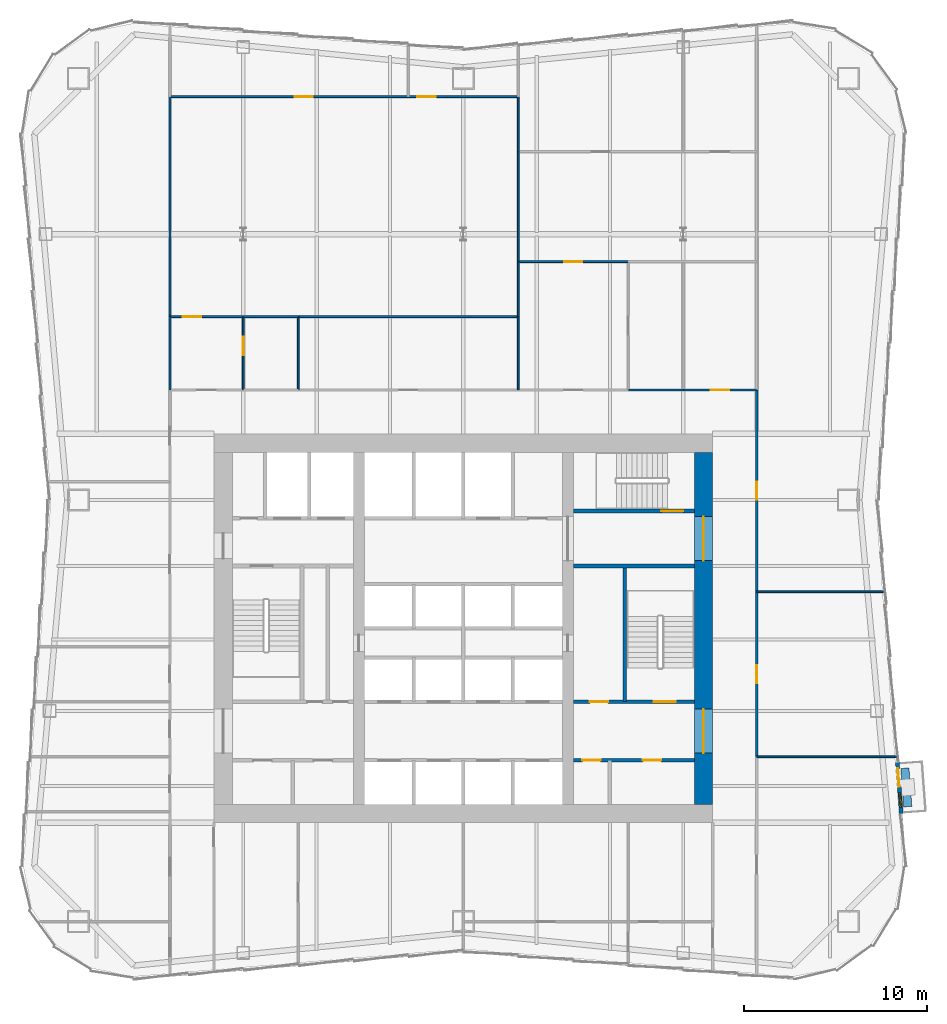
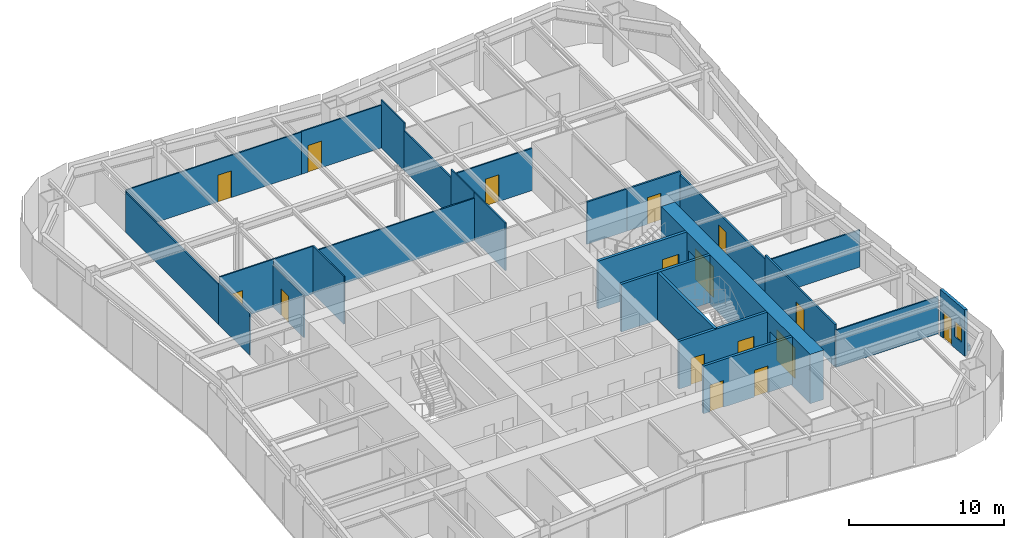
# One storey, part 6 of 9: 28 walls, 16 doors, 1 window, 17 openings.
"""IFC4 building model written with IfcOpenShell, lengths in metres."""

import ifcopenshell
import ifcopenshell.guid

model = None  # the IFC model being written
_history = None  # IfcOwnerHistory: only IFC2X3 demands one
_inside = {}  # id of a spatial element -> (the spatial element, [elements in it])
_under = {}  # id of a project, library or spatial element -> (it, [spatial elements below it])
_declared = {}  # id of a project -> (the project, [libraries it declares])
_typed = {}  # id of a type object -> (the type object, [elements of that type])
_made_of = {}  # id of a material, layer set ... -> (it, [elements and type objects made of it])


def new_model(schema):
    """Start an empty IFC model of exactly this schema.

    Asked for "IFC4X3", IfcOpenShell would pick the latest addendum, in which some entities
    have other attributes; the version numbers below select the first issue.
    IFC2X3 requires an IfcOwnerHistory on every rooted entity: one is made here for all.
    """
    global model, _history
    if schema == "IFC4X3":
        model = ifcopenshell.file(schema_version=(4, 3, 0, 0))
    else:
        model = ifcopenshell.file(schema=schema)
    _inside.clear()
    _under.clear()
    _declared.clear()
    _typed.clear()
    _made_of.clear()
    _history = None
    if model.schema == "IFC2X3":
        org = make("IfcOrganization", Name="unknown")
        user = make(
            "IfcPersonAndOrganization",
            ThePerson=make("IfcPerson", FamilyName="unknown"),
            TheOrganization=org,
        )
        app = make(
            "IfcApplication",
            ApplicationDeveloper=org,
            Version="unknown",
            ApplicationFullName="unknown",
            ApplicationIdentifier="unknown",
        )
        _history = make(
            "IfcOwnerHistory",
            OwningUser=user,
            OwningApplication=app,
            ChangeAction="ADDED",
            CreationDate=0,
        )
    return model


def make(cls, **values):
    """One entity of the class cls with the attributes given. An attribute that is None is left unset."""
    return model.create_entity(
        cls, **{name: value for name, value in values.items() if value is not None}
    )


def rooted(cls, **values):
    """An entity with a GlobalId (a new one), such as an element, a storey or a relation."""
    return make(cls, GlobalId=ifcopenshell.guid.new(), OwnerHistory=_history, **values)


def si_unit(unit_type, name, prefix=None):
    """IfcSIUnit, for example si_unit("LENGTHUNIT", "METRE", prefix="MILLI")."""
    return make("IfcSIUnit", UnitType=unit_type, Prefix=prefix, Name=name)


def assignment(units):
    """IfcUnitAssignment: the units of a project."""
    return None if units is None else make("IfcUnitAssignment", Units=units)


def point(xyz):
    """IfcCartesianPoint."""
    return None if xyz is None else make("IfcCartesianPoint", Coordinates=xyz)


def direction(xyz):
    """IfcDirection."""
    return None if xyz is None else make("IfcDirection", DirectionRatios=xyz)


def frame(location, z_axis=None, x_axis=None):
    """IfcAxis2Placement3D, a coordinate frame: its origin and axes. An axis left out is left unset."""
    return make(
        "IfcAxis2Placement3D",
        Location=point(location),
        Axis=direction(z_axis),
        RefDirection=direction(x_axis),
    )


def frame_2d(location, x_axis=None):
    """IfcAxis2Placement2D, a coordinate frame in the plane: its origin and x axis."""
    return make(
        "IfcAxis2Placement2D", Location=point(location), RefDirection=direction(x_axis)
    )


def origin():
    """The frame at (0, 0, 0) with its axes left unset."""
    return frame((0.0, 0.0, 0.0))


def place(relative_to, where):
    """IfcLocalPlacement: puts the frame where relative to a parent placement (None: the world)."""
    return make(
        "IfcLocalPlacement", PlacementRelTo=relative_to, RelativePlacement=where
    )


def context(
    kind, dimensions, precision=None, world=None, true_north=None, identifier=None
):
    """IfcGeometricRepresentationContext, for example the 3D "Model" context."""
    return make(
        "IfcGeometricRepresentationContext",
        ContextIdentifier=identifier,
        ContextType=kind,
        CoordinateSpaceDimension=dimensions,
        Precision=precision,
        WorldCoordinateSystem=world,
        TrueNorth=true_north,
    )


def subcontext(parent, identifier, kind, view, scale=None):
    """IfcGeometricRepresentationSubContext, for example "Body" below "Model"."""
    return make(
        "IfcGeometricRepresentationSubContext",
        ContextIdentifier=identifier,
        ContextType=kind,
        ParentContext=parent,
        TargetScale=scale,
        TargetView=view,
    )


def project(units=None, contexts=None):
    """IfcProject with its units and contexts."""
    return rooted(
        "IfcProject",
        Name="project",
        RepresentationContexts=contexts,
        UnitsInContext=assignment(units),
    )


def spatial(cls, under=None, at=None, **own):
    """A site, building, storey or space (cls), placed at a placement, below another one or the project."""
    s = rooted(cls, ObjectPlacement=at, **own)
    if under is not None:
        _under.setdefault(under.id(), (under, []))[1].append(s)
    return s


def profile(cls, at=None, kind="AREA", **sizes):
    """A parametric profile (cls). Its sizes go by their IFC names, for example OverallWidth=200.0."""
    return make(cls, ProfileType=kind, Position=at, **sizes)


def rectangle(**sizes):
    """IfcRectangleProfileDef."""
    return profile("IfcRectangleProfileDef", **sizes)


def extrude(swept, where, along, depth):
    """IfcExtrudedAreaSolid: the profile swept, set in the frame where, extruded along a direction by depth."""
    return make(
        "IfcExtrudedAreaSolid",
        SweptArea=swept,
        Position=where,
        ExtrudedDirection=direction(along),
        Depth=depth,
    )


def shape(context_of_items, identifier, shape_type, items):
    """IfcShapeRepresentation: the items that make up one representation, for example the "Body"."""
    return make(
        "IfcShapeRepresentation",
        ContextOfItems=context_of_items,
        RepresentationIdentifier=identifier,
        RepresentationType=shape_type,
        Items=items,
    )


def material(Name=None, Category=None):
    """IfcMaterial."""
    return make("IfcMaterial", Name=Name, Category=Category)


def layer(
    of_material, thickness, ventilated=None, Name=None, Category=None, Priority=None
):
    """IfcMaterialLayer: one layer of a wall or slab, of a material (None: an air gap)."""
    return make(
        "IfcMaterialLayer",
        Material=of_material,
        LayerThickness=thickness,
        IsVentilated=ventilated,
        Name=Name,
        Category=Category,
        Priority=Priority,
    )


def layer_set(layers, Name=None):
    """IfcMaterialLayerSet."""
    return make("IfcMaterialLayerSet", MaterialLayers=layers, LayerSetName=Name)


def made_of(thing, what):
    """Note that an element or type object is made of a material, layer set ...; save() writes the relation."""
    if what is not None:
        _made_of.setdefault(what.id(), (what, []))[1].append(thing)
    return thing


def type_object(cls, material=None, **own):
    """A type object (cls), such as IfcWallType, which elements share."""
    return made_of(rooted(cls, **own), material)


def element(
    cls,
    number,
    at=None,
    inside=None,
    cuts=None,
    type_object=None,
    material=None,
    context=None,
    identifier="Body",
    shape_type=None,
    held_by="IfcProductDefinitionShape",
    body=None,
    shapes=None,
    **own,
):
    """One element of the class cls, such as IfcWall. Its Tag is "e" and its number.

    at: its placement. inside: the storey or other place that contains it. cuts: it is an
    opening in that element (IfcRelVoidsElement). A single representation is given by context,
    identifier, shape_type and body (its items); several are given by shapes. held_by: the class
    of the entity that holds the representations. save() writes the other relations.
    """
    e = rooted(cls, Tag="e%d" % number, ObjectPlacement=at, **own)
    if body is not None:
        shapes = [shape(context, identifier, shape_type, body)]
    if shapes is not None:
        e.Representation = make(held_by, Representations=shapes)
    if inside is not None:
        _inside.setdefault(inside.id(), (inside, []))[1].append(e)
    if cuts is not None:
        rooted(
            "IfcRelVoidsElement", RelatingBuildingElement=cuts, RelatedOpeningElement=e
        )
    if type_object is not None:
        _typed.setdefault(type_object.id(), (type_object, []))[1].append(e)
    return made_of(e, material)


def fill(opening, filler):
    """IfcRelFillsElement: the door or window that sits in an opening."""
    return rooted(
        "IfcRelFillsElement",
        RelatingOpeningElement=opening,
        RelatedBuildingElement=filler,
    )


def aggregate(whole, parts):
    """IfcRelAggregates: a whole, such as a stair, and the parts it consists of."""
    return rooted("IfcRelAggregates", RelatingObject=whole, RelatedObjects=parts)


def save(model, path):
    """Write the relations noted so far, then the file.

    IfcRelAggregates (storeys below a building ...), IfcRelContainedInSpatialStructure (elements
    in a storey), IfcRelDefinesByType, IfcRelAssociatesMaterial and IfcRelDeclares: one each for
    every whole, place, type object, material and project.
    """
    for whole, parts in _under.values():
        aggregate(whole, parts)
    for where, things in _inside.values():
        rooted(
            "IfcRelContainedInSpatialStructure",
            RelatedElements=things,
            RelatingStructure=where,
        )
    for kind, things in _typed.values():
        rooted("IfcRelDefinesByType", RelatedObjects=things, RelatingType=kind)
    for what, things in _made_of.values():
        rooted("IfcRelAssociatesMaterial", RelatedObjects=things, RelatingMaterial=what)
    for by, libraries in _declared.values():
        rooted("IfcRelDeclares", RelatingContext=by, RelatedDefinitions=libraries)
    model.write(path)


model = new_model("IFC4")

# Units and contexts
model_context = context("Model", 3, precision=1e-05, world=origin(), true_north=direction((0.0, 1.0)))
body_context = subcontext(model_context, "Body", "Model", "MODEL_VIEW")
ifc_project = project(units=[si_unit("LENGTHUNIT", "METRE"), si_unit("AREAUNIT", "SQUARE_METRE"), si_unit("VOLUMEUNIT", "CUBIC_METRE"), si_unit("PLANEANGLEUNIT", "RADIAN"), si_unit("MASSUNIT", "GRAM", prefix="KILO")], contexts=[model_context])

# Site, building, storey
site_placement = place(None, origin())
site = spatial("IfcSite", under=ifc_project, at=site_placement, CompositionType="ELEMENT")
building_placement = place(site_placement, origin())
building = spatial("IfcBuilding", under=site, at=building_placement, Name="Verdant Reach Tower", CompositionType="ELEMENT")
storey_placement = place(building_placement, frame((0.0, 0.0, 166.0)))
storey = spatial("IfcBuildingStorey", under=building, at=storey_placement, Name="L38", CompositionType="ELEMENT", Elevation=166.0)

# Wall, openings, doors
ifc_material_1 = material(Name="Gypsum board on steel studs", Category="steel")
ifc_layer_1 = layer(ifc_material_1, 0.199951171875)
ifc_layer_set_1 = layer_set([ifc_layer_1], Name="CO-WALL-ROOM")
wall_type_1 = type_object("IfcWallType", Name="CO-WALL-ROOM", PredefinedType="PARTITIONING", material=ifc_layer_set_1)
wall_1_placement = place(storey_placement, frame((6.0, 20.800048828125, 0.0), z_axis=(0.0, 0.0, 1.0), x_axis=(1.0, 0.0, 0.0)))
wall_1 = element("IfcWall", 1, at=wall_1_placement, inside=storey, type_object=wall_type_1, Name="Core partition, L38", PredefinedType="PARTITIONING", context=body_context, shape_type="SweptSolid", body=[
    extrude(rectangle(XDim=6.60009765625, YDim=0.199951171875, at=frame_2d((3.300048828125, 0.0))), origin(), (0.0, 0.0, 1.0), 3.75),
])
opening_1_placement = place(wall_1_placement, frame((0.489990234375, 0.0, 0.0)))
opening_1 = element("IfcOpeningElement", 2, at=opening_1_placement, cuts=wall_1, Name="Opening CD", PredefinedType="OPENING", context=body_context, shape_type="SweptSolid", body=[
    extrude(rectangle(XDim=1.0, YDim=2.10009765625, at=frame_2d((0.5, 1.050048828125))), frame((0.0, 0.10986328125, 0.0), z_axis=(0.0, -1.0, 0.0), x_axis=(1.0, 0.0, 0.0)), (0.0, 0.0, 1.0), 0.219970703125),
])
opening_2_placement = place(wall_1_placement, frame((3.7900390625, 0.0, 0.0)))
opening_2 = element("IfcOpeningElement", 3, at=opening_2_placement, cuts=wall_1, Name="Opening CD", PredefinedType="OPENING", context=body_context, shape_type="SweptSolid", body=[
    extrude(rectangle(XDim=1.0, YDim=2.10009765625, at=frame_2d((0.5, 1.050048828125))), frame((0.0, 0.10986328125, 0.0), z_axis=(0.0, -1.0, 0.0), x_axis=(1.0, 0.0, 0.0)), (0.0, 0.0, 1.0), 0.219970703125),
])
ifc_material_2 = material(Name="Timber", Category="wood")
door_type_1 = type_object("IfcDoorType", Name="CO-DOOR-ROOM", OperationType="NOTDEFINED", PredefinedType="DOOR", material=ifc_material_2)
door_1_placement = place(opening_1_placement, origin())
door_1 = element("IfcDoor", 4, at=door_1_placement, inside=storey, type_object=door_type_1, Name="Core room door, L38", OperationType="SINGLE_SWING_RIGHT", OverallHeight=2.10009765625, OverallWidth=1.0, PredefinedType="DOOR", context=body_context, shape_type="SweptSolid", body=[
    extrude(rectangle(XDim=1.0, YDim=2.10009765625, at=frame_2d((0.5, 1.050048828125))), frame((0.0, 0.02490234375, 0.0), z_axis=(0.0, -1.0, 0.0), x_axis=(1.0, 0.0, 0.0)), (0.0, 0.0, 1.0), 0.050048828125),
])
fill(opening_1, door_1)
door_2_placement = place(opening_2_placement, origin())
door_2 = element("IfcDoor", 5, at=door_2_placement, inside=storey, type_object=door_type_1, Name="Core room door, L38", OperationType="SINGLE_SWING_RIGHT", OverallHeight=2.10009765625, OverallWidth=1.0, PredefinedType="DOOR", context=body_context, shape_type="SweptSolid", body=[
    extrude(rectangle(XDim=1.0, YDim=2.10009765625, at=frame_2d((0.5, 1.050048828125))), frame((0.0, 0.02490234375, 0.0), z_axis=(0.0, -1.0, 0.0), x_axis=(1.0, 0.0, 0.0)), (0.0, 0.0, 1.0), 0.050048828125),
])
fill(opening_2, door_2)

ifc_material_3 = material(Name="Concrete C40/50", Category="concrete")
ifc_layer_2 = layer(ifc_material_3, 0.199951171875)
ifc_layer_set_2 = layer_set([ifc_layer_2], Name="CO-WALL-STAIR")
wall_type_2 = type_object("IfcWallType", Name="CO-WALL-STAIR", PredefinedType="PARTITIONING", material=ifc_layer_set_2)
wall_2_placement = place(storey_placement, frame((6.0, 24.0, 0.0), z_axis=(0.0, 0.0, 1.0), x_axis=(1.0, 0.0, 0.0)))
wall_2 = element("IfcWall", 6, at=wall_2_placement, inside=storey, type_object=wall_type_2, Name="Stair enclosure wall, L38", PredefinedType="PARTITIONING", context=body_context, shape_type="SweptSolid", body=[
    extrude(rectangle(XDim=6.60009765625, YDim=0.199951171875, at=frame_2d((3.300048828125, 0.0))), origin(), (0.0, 0.0, 1.0), 3.75),
])
opening_3_placement = place(wall_2_placement, frame((0.89990234375, 0.0, 0.0)))
opening_3 = element("IfcOpeningElement", 7, at=opening_3_placement, cuts=wall_2, Name="Opening CD", PredefinedType="OPENING", context=body_context, shape_type="SweptSolid", body=[
    extrude(rectangle(XDim=1.0, YDim=2.10009765625, at=frame_2d((0.5, 1.050048828125))), frame((0.0, 0.10986328125, 0.0), z_axis=(0.0, -1.0, 0.0), x_axis=(1.0, 0.0, 0.0)), (0.0, 0.0, 1.0), 0.219970703125),
])
opening_4_placement = place(wall_2_placement, frame((4.39990234375, 0.0, 0.0)))
opening_4 = element("IfcOpeningElement", 8, at=opening_4_placement, cuts=wall_2, Name="Opening SD", PredefinedType="OPENING", context=body_context, shape_type="SweptSolid", body=[
    extrude(rectangle(XDim=1.199951171875, YDim=2.199951171875, at=frame_2d((0.60009765625, 1.10009765625))), frame((0.0, 0.10986328125, 0.0), z_axis=(0.0, -1.0, 0.0), x_axis=(1.0, 0.0, 0.0)), (0.0, 0.0, 1.0), 0.219970703125),
])
door_3_placement = place(opening_3_placement, origin())
door_3 = element("IfcDoor", 9, at=door_3_placement, inside=storey, type_object=door_type_1, Name="Core room door, L38", OperationType="SINGLE_SWING_RIGHT", OverallHeight=2.10009765625, OverallWidth=1.0, PredefinedType="DOOR", context=body_context, shape_type="SweptSolid", body=[
    extrude(rectangle(XDim=1.0, YDim=2.10009765625, at=frame_2d((0.5, 1.050048828125))), frame((0.0, 0.02490234375, 0.0), z_axis=(0.0, -1.0, 0.0), x_axis=(1.0, 0.0, 0.0)), (0.0, 0.0, 1.0), 0.050048828125),
])
fill(opening_3, door_3)
ifc_material_4 = material(Name="Steel", Category="steel")
door_type_2 = type_object("IfcDoorType", Name="CO-DOOR-STAIR", OperationType="NOTDEFINED", PredefinedType="DOOR", material=ifc_material_4)
door_4_placement = place(opening_4_placement, origin())
door_4 = element("IfcDoor", 10, at=door_4_placement, inside=storey, type_object=door_type_2, Name="Stair door, L38", OperationType="SINGLE_SWING_LEFT", OverallHeight=2.199951171875, OverallWidth=1.199951171875, PredefinedType="DOOR", context=body_context, shape_type="SweptSolid", body=[
    extrude(rectangle(XDim=1.199951171875, YDim=2.199951171875, at=frame_2d((0.60009765625, 1.10009765625))), frame((0.0, 0.02490234375, 0.0), z_axis=(0.0, -1.0, 0.0), x_axis=(1.0, 0.0, 0.0)), (0.0, 0.0, 1.0), 0.050048828125),
])
fill(opening_4, door_4)

# Wall
wall_3_placement = place(storey_placement, frame((6.0, 31.39990234375, 0.0), z_axis=(0.0, 0.0, 1.0), x_axis=(1.0, 0.0, 0.0)))
element("IfcWall", 11, at=wall_3_placement, inside=storey, type_object=wall_type_2, Name="Stair enclosure wall, L38", PredefinedType="PARTITIONING", context=body_context, shape_type="SweptSolid", body=[
    extrude(rectangle(XDim=6.60009765625, YDim=0.199951171875, at=frame_2d((3.300048828125, 0.0))), origin(), (0.0, 0.0, 1.0), 3.75),
])

# Wall, opening, door
wall_4_placement = place(storey_placement, frame((6.0, 34.39990234375, 0.0), z_axis=(0.0, 0.0, 1.0), x_axis=(1.0, 0.0, 0.0)))
wall_4 = element("IfcWall", 12, at=wall_4_placement, inside=storey, type_object=wall_type_2, Name="Stair enclosure wall, L38", PredefinedType="PARTITIONING", context=body_context, shape_type="SweptSolid", body=[
    extrude(rectangle(XDim=6.60009765625, YDim=0.199951171875, at=frame_2d((3.300048828125, 0.0))), origin(), (0.0, 0.0, 1.0), 3.75),
])
opening_5_placement = place(wall_4_placement, frame((4.800048828125, 0.0, 0.0)))
opening_5 = element("IfcOpeningElement", 13, at=opening_5_placement, cuts=wall_4, Name="Opening SD", PredefinedType="OPENING", context=body_context, shape_type="SweptSolid", body=[
    extrude(rectangle(XDim=1.199951171875, YDim=2.199951171875, at=frame_2d((0.60009765625, 1.10009765625))), frame((0.0, 0.10986328125, 0.0), z_axis=(0.0, -1.0, 0.0), x_axis=(1.0, 0.0, 0.0)), (0.0, 0.0, 1.0), 0.219970703125),
])
door_5_placement = place(opening_5_placement, origin())
door_5 = element("IfcDoor", 14, at=door_5_placement, inside=storey, type_object=door_type_2, Name="Stair door, L38", OperationType="SINGLE_SWING_RIGHT", OverallHeight=2.199951171875, OverallWidth=1.199951171875, PredefinedType="DOOR", context=body_context, shape_type="SweptSolid", body=[
    extrude(rectangle(XDim=1.199951171875, YDim=2.199951171875, at=frame_2d((0.60009765625, 1.10009765625))), frame((0.0, 0.02490234375, 0.0), z_axis=(0.0, -1.0, 0.0), x_axis=(1.0, 0.0, 0.0)), (0.0, 0.0, 1.0), 0.050048828125),
])
fill(opening_5, door_5)

# Wall
wall_5_placement = place(storey_placement, frame((8.800048828125, 24.0, 0.0), z_axis=(0.0, 0.0, 1.0), x_axis=(0.0, 1.0, 0.0)))
element("IfcWall", 15, at=wall_5_placement, inside=storey, type_object=wall_type_2, Name="Stair enclosure wall, L38", PredefinedType="PARTITIONING", context=body_context, shape_type="SweptSolid", body=[
    extrude(rectangle(XDim=7.39990234375, YDim=0.199951171875, at=frame_2d((3.699951171875, 0.0))), origin(), (0.0, 0.0, 1.0), 3.75),
])

# Wall, openings, door, window
ifc_material_5 = material(Name="Insulated bronze aluminium panel wall", Category="aluminium")
ifc_layer_3 = layer(ifc_material_5, 0.219970703125)
ifc_layer_set_3 = layer_set([ifc_layer_3], Name="EN-INFILL WALL")
wall_type_3 = type_object("IfcWallType", Name="EN-INFILL WALL", PredefinedType="SOLIDWALL", material=ifc_layer_set_3)
wall_6_placement = place(storey_placement, frame((23.888916015625, 17.89697265625, 0.0), z_axis=(0.0, 0.0, 1.0), x_axis=(-0.07478344779, 0.997199797401, 0.0)))
wall_6 = element("IfcWall", 16, at=wall_6_placement, inside=storey, type_object=wall_type_3, Name="External infill wall, balcony bay 1, L38", PredefinedType="SOLIDWALL", context=body_context, shape_type="SweptSolid", body=[
    extrude(rectangle(XDim=2.801025390625, YDim=0.2119140625, at=frame_2d((1.400390625, 0.0))), origin(), (0.0, 0.0, 1.0), 3.64990234375),
])
opening_6_placement = place(wall_6_placement, frame((1.46728515625, 0.0, 0.0)))
opening_6 = element("IfcOpeningElement", 17, at=opening_6_placement, cuts=wall_6, Name="Opening BD1", PredefinedType="OPENING", context=body_context, shape_type="SweptSolid", body=[
    extrude(rectangle(XDim=1.0, YDim=2.10009765625, at=frame_2d((0.5, 1.050048828125))), frame((0.0, 0.115966796875, 0.0), z_axis=(0.0, -1.0, 0.0), x_axis=(1.0, 0.0, 0.0)), (0.0, 0.0, 1.0), 0.23193359375),
])
opening_7_placement = place(wall_6_placement, frame((0.333740234375, 0.0, 0.89990234375)))
opening_7 = element("IfcOpeningElement", 18, at=opening_7_placement, cuts=wall_6, Name="Opening BW1", PredefinedType="OPENING", context=body_context, shape_type="SweptSolid", body=[
    extrude(rectangle(XDim=0.800048828125, YDim=1.199951171875, at=frame_2d((0.39990234375, 0.60009765625))), frame((0.0, 0.115966796875, 0.0), z_axis=(0.0, -1.0, 0.0), x_axis=(1.0, 0.0, 0.0)), (0.0, 0.0, 1.0), 0.23193359375),
])
ifc_material_6 = material(Name="Aluminium framed glazed door", Category="aluminium")
door_type_3 = type_object("IfcDoorType", Name="EN-DOOR BALCONY", OperationType="NOTDEFINED", PredefinedType="DOOR", material=ifc_material_6)
door_6_placement = place(opening_6_placement, origin())
door_6 = element("IfcDoor", 19, at=door_6_placement, inside=storey, type_object=door_type_3, Name="Balcony door 1, L38", OperationType="SINGLE_SWING_RIGHT", OverallHeight=2.10009765625, OverallWidth=1.0, PredefinedType="DOOR", context=body_context, shape_type="SweptSolid", body=[
    extrude(rectangle(XDim=1.0, YDim=2.10009765625, at=frame_2d((0.5, 1.050048828125))), frame((0.0, 0.02490234375, 0.0), z_axis=(0.0, -1.0, 0.0), x_axis=(1.0, 0.0, 0.0)), (0.0, 0.0, 1.0), 0.050048828125),
])
fill(opening_6, door_6)
ifc_material_7 = material(Name="Aluminium framed glazing", Category="aluminium")
window_type = type_object("IfcWindowType", Name="EN-WINDOW BALCONY", PartitioningType="SINGLE_PANEL", PredefinedType="WINDOW", material=ifc_material_7)
window_placement = place(opening_7_placement, origin())
window = element("IfcWindow", 20, at=window_placement, inside=storey, type_object=window_type, Name="Balcony window 1, L38", OverallHeight=1.199951171875, OverallWidth=0.800048828125, PartitioningType="SINGLE_PANEL", PredefinedType="WINDOW", context=body_context, shape_type="SweptSolid", body=[
    extrude(rectangle(XDim=0.800048828125, YDim=1.199951171875, at=frame_2d((0.39990234375, 0.60009765625))), frame((0.0, 0.030029296875, 0.0), z_axis=(0.0, -1.0, 0.0), x_axis=(1.0, 0.0, 0.0)), (0.0, 0.0, 1.0), 0.06005859375),
])
fill(opening_7, window)

# Walls
ifc_material_8 = material(Name="Precast concrete C30/37", Category="concrete")
ifc_layer_4 = layer(ifc_material_8, 0.449951171875)
ifc_layer_set_4 = layer_set([ifc_layer_4], Name="EN-PLANTER")
wall_type_4 = type_object("IfcWallType", Name="EN-PLANTER", PredefinedType="USERDEFINED", material=ifc_layer_set_4)
wall_7_placement = place(storey_placement, frame((24.24267578125, 18.2744140625, 0.0), z_axis=(0.0, 0.0, 1.0), x_axis=(-0.074706185882, 0.997205588528, 0.0)))
element("IfcWall", 21, at=wall_7_placement, inside=storey, type_object=wall_type_4, Name="Balcony planter 1, L38", ObjectType="PLANTER", PredefinedType="USERDEFINED", context=body_context, shape_type="SweptSolid", body=[
    extrude(rectangle(XDim=2.101318359375, YDim=0.449951171875, at=frame_2d((1.05078125, 0.0))), origin(), (0.0, 0.0, 1.0), 0.39990234375),
])
ifc_layer_5 = layer(ifc_material_1, 0.10009765625)
ifc_layer_set_5 = layer_set([ifc_layer_5], Name="FL-W1 Partition 100")
wall_type_5 = type_object("IfcWallType", Name="FL-W1 Partition 100", PredefinedType="PARTITIONING", material=ifc_layer_set_5)
wall_8_placement = place(storey_placement, frame((-16.0, 41.0, 0.0), z_axis=(0.0, 0.0, 1.0), x_axis=(0.0, 1.0, 0.0)))
element("IfcWall", 22, at=wall_8_placement, inside=storey, type_object=wall_type_5, Name="Partition 38.26", PredefinedType="PARTITIONING", context=body_context, shape_type="SweptSolid", body=[
    extrude(rectangle(XDim=4.0, YDim=0.10009765625, at=frame_2d((2.0, 0.0))), origin(), (0.0, 0.0, 1.0), 3.320068359375),
])
wall_9_placement = place(storey_placement, frame((-16.0, 45.0, 0.0), z_axis=(0.0, 0.0, 1.0), x_axis=(0.0, 1.0, 0.0)))
element("IfcWall", 23, at=wall_9_placement, inside=storey, type_object=wall_type_5, Name="Partition 38.27", PredefinedType="PARTITIONING", context=body_context, shape_type="SweptSolid", body=[
    extrude(rectangle(XDim=12.0, YDim=0.10009765625, at=frame_2d((6.0, 0.0))), origin(), (0.0, 0.0, 1.0), 3.1201171875),
])
wall_10_placement = place(storey_placement, frame((23.6298828125, 21.0, 0.0), z_axis=(0.0, 0.0, 1.0), x_axis=(-1.0, 0.0, 0.0)))
element("IfcWall", 24, at=wall_10_placement, inside=storey, type_object=wall_type_5, Name="Partition 38.29", PredefinedType="PARTITIONING", context=body_context, shape_type="SweptSolid", body=[
    extrude(rectangle(XDim=7.6298828125, YDim=0.10009765625, at=frame_2d((3.81494140625, 0.0))), origin(), (0.0, 0.0, 1.0), 2.919921875),
])
wall_11_placement = place(storey_placement, frame((22.955078125, 30.0, 0.0), z_axis=(0.0, 0.0, 1.0), x_axis=(-1.0, 0.0, 0.0)))
element("IfcWall", 25, at=wall_11_placement, inside=storey, type_object=wall_type_5, Name="Partition 38.30", PredefinedType="PARTITIONING", context=body_context, shape_type="SweptSolid", body=[
    extrude(rectangle(XDim=6.955078125, YDim=0.10009765625, at=frame_2d((3.4775390625, 0.0))), origin(), (0.0, 0.0, 1.0), 2.919921875),
])

# Wall, opening, door
wall_12_placement = place(storey_placement, frame((-12.0, 45.0, 0.0), z_axis=(0.0, 0.0, 1.0), x_axis=(0.0, -1.0, 0.0)))
wall_12 = element("IfcWall", 26, at=wall_12_placement, inside=storey, type_object=wall_type_5, Name="Partition 38.41", PredefinedType="PARTITIONING", context=body_context, shape_type="SweptSolid", body=[
    extrude(rectangle(XDim=4.0, YDim=0.10009765625, at=frame_2d((2.0, 0.0))), origin(), (0.0, 0.0, 1.0), 3.320068359375),
])
opening_8_placement = place(wall_12_placement, frame((1.10009765625, 0.0, 0.0)))
opening_8 = element("IfcOpeningElement", 27, at=opening_8_placement, cuts=wall_12, Name="Opening D3", PredefinedType="OPENING", context=body_context, shape_type="SweptSolid", body=[
    extrude(rectangle(XDim=1.0, YDim=2.10009765625, at=frame_2d((0.5, 1.050048828125))), frame((0.0, 0.06005859375, 0.0), z_axis=(0.0, -1.0, 0.0), x_axis=(1.0, 0.0, 0.0)), (0.0, 0.0, 1.0), 0.1201171875),
])
ifc_material_9 = material(Name="Painted timber door leaf", Category="wood")
door_type_4 = type_object("IfcDoorType", Name="FL-D3 Door 1000x2100", OperationType="NOTDEFINED", PredefinedType="DOOR", material=ifc_material_9)
door_7_placement = place(opening_8_placement, origin())
door_7 = element("IfcDoor", 28, at=door_7_placement, inside=storey, type_object=door_type_4, Name="Door 38-021", OperationType="SINGLE_SWING_LEFT", OverallHeight=2.10009765625, OverallWidth=1.0, PredefinedType="DOOR", context=body_context, shape_type="SweptSolid", body=[
    extrude(rectangle(XDim=1.0, YDim=2.10009765625, at=frame_2d((0.5, 1.050048828125))), frame((0.0, 0.02490234375, 0.0), z_axis=(0.0, -1.0, 0.0), x_axis=(1.0, 0.0, 0.0)), (0.0, 0.0, 1.0), 0.050048828125),
])
fill(opening_8, door_7)

wall_13_placement = place(storey_placement, frame((-16.0, 45.0, 0.0), z_axis=(0.0, 0.0, 1.0), x_axis=(1.0, 0.0, 0.0)))
wall_13 = element("IfcWall", 29, at=wall_13_placement, inside=storey, type_object=wall_type_5, Name="Partition 38.42", PredefinedType="PARTITIONING", context=body_context, shape_type="SweptSolid", body=[
    extrude(rectangle(XDim=4.00390625, YDim=0.10009765625, at=frame_2d((2.001953125, 0.0))), origin(), (0.0, 0.0, 1.0), 3.75),
])
opening_9_placement = place(wall_13_placement, frame((0.701904296875, 0.0, 0.0)))
opening_9 = element("IfcOpeningElement", 30, at=opening_9_placement, cuts=wall_13, Name="Opening D3", PredefinedType="OPENING", context=body_context, shape_type="SweptSolid", body=[
    extrude(rectangle(XDim=1.0, YDim=2.10009765625, at=frame_2d((0.5, 1.050048828125))), frame((0.0, 0.06005859375, 0.0), z_axis=(0.0, -1.0, 0.0), x_axis=(1.0, 0.0, 0.0)), (0.0, 0.0, 1.0), 0.1201171875),
])
door_8_placement = place(opening_9_placement, origin())
door_8 = element("IfcDoor", 31, at=door_8_placement, inside=storey, type_object=door_type_4, Name="Door 38-022", OperationType="SINGLE_SWING_LEFT", OverallHeight=2.10009765625, OverallWidth=1.0, PredefinedType="DOOR", context=body_context, shape_type="SweptSolid", body=[
    extrude(rectangle(XDim=1.0, YDim=2.10009765625, at=frame_2d((0.5, 1.050048828125))), frame((0.0, 0.02490234375, 0.0), z_axis=(0.0, -1.0, 0.0), x_axis=(1.0, 0.0, 0.0)), (0.0, 0.0, 1.0), 0.050048828125),
])
fill(opening_9, door_8)

# Walls
wall_14_placement = place(storey_placement, frame((-9.0, 41.0, 0.0), z_axis=(0.0, 0.0, 1.0), x_axis=(0.0, 1.0, 0.0)))
element("IfcWall", 32, at=wall_14_placement, inside=storey, type_object=wall_type_5, Name="Partition 38.43", PredefinedType="PARTITIONING", context=body_context, shape_type="SweptSolid", body=[
    extrude(rectangle(XDim=4.0, YDim=0.10009765625, at=frame_2d((2.0, 0.0))), origin(), (0.0, 0.0, 1.0), 3.75),
])
wall_15_placement = place(storey_placement, frame((-8.99609375, 45.0, 0.0), z_axis=(0.0, 0.0, 1.0), x_axis=(-1.0, 0.0, 0.0)))
element("IfcWall", 33, at=wall_15_placement, inside=storey, type_object=wall_type_5, Name="Partition 38.44", PredefinedType="PARTITIONING", context=body_context, shape_type="SweptSolid", body=[
    extrude(rectangle(XDim=3.0078125, YDim=0.10009765625, at=frame_2d((1.50390625, 0.0))), origin(), (0.0, 0.0, 1.0), 3.75),
])
wall_16_placement = place(storey_placement, frame((3.0, 45.0, 0.0), z_axis=(0.0, 0.0, 1.0), x_axis=(-1.0, 0.0, 0.0)))
element("IfcWall", 34, at=wall_16_placement, inside=storey, type_object=wall_type_5, Name="Partition 38.45", PredefinedType="PARTITIONING", context=body_context, shape_type="SweptSolid", body=[
    extrude(rectangle(XDim=12.00390625, YDim=0.10009765625, at=frame_2d((6.001953125, 0.0))), origin(), (0.0, 0.0, 1.0), 3.320068359375),
])
wall_17_placement = place(storey_placement, frame((3.0, 41.0, 0.0), z_axis=(0.0, 0.0, 1.0), x_axis=(0.0, 1.0, 0.0)))
element("IfcWall", 35, at=wall_17_placement, inside=storey, type_object=wall_type_5, Name="Partition 38.46", PredefinedType="PARTITIONING", context=body_context, shape_type="SweptSolid", body=[
    extrude(rectangle(XDim=4.00390625, YDim=0.10009765625, at=frame_2d((2.001953125, 0.0))), origin(), (0.0, 0.0, 1.0), 3.75),
])

# Wall, opening, door
wall_18_placement = place(storey_placement, frame((-16.0, 57.0, 0.0), z_axis=(0.0, 0.0, 1.0), x_axis=(1.0, 0.0, 0.0)))
wall_18 = element("IfcWall", 36, at=wall_18_placement, inside=storey, type_object=wall_type_5, Name="Partition 38.47", PredefinedType="PARTITIONING", context=body_context, shape_type="SweptSolid", body=[
    extrude(rectangle(XDim=13.0, YDim=0.10009765625, at=frame_2d((6.5, 0.0))), origin(), (0.0, 0.0, 1.0), 3.320068359375),
])
opening_10_placement = place(wall_18_placement, frame((6.800048828125, 0.0, 0.0)))
opening_10 = element("IfcOpeningElement", 37, at=opening_10_placement, cuts=wall_18, Name="Opening D3", PredefinedType="OPENING", context=body_context, shape_type="SweptSolid", body=[
    extrude(rectangle(XDim=1.0, YDim=2.10009765625, at=frame_2d((0.5, 1.050048828125))), frame((0.0, 0.06005859375, 0.0), z_axis=(0.0, -1.0, 0.0), x_axis=(1.0, 0.0, 0.0)), (0.0, 0.0, 1.0), 0.1201171875),
])
door_9_placement = place(opening_10_placement, origin())
door_9 = element("IfcDoor", 38, at=door_9_placement, inside=storey, type_object=door_type_4, Name="Door 38-023", OperationType="SINGLE_SWING_RIGHT", OverallHeight=2.10009765625, OverallWidth=1.0, PredefinedType="DOOR", context=body_context, shape_type="SweptSolid", body=[
    extrude(rectangle(XDim=1.0, YDim=2.10009765625, at=frame_2d((0.5, 1.050048828125))), frame((0.0, 0.02490234375, 0.0), z_axis=(0.0, -1.0, 0.0), x_axis=(1.0, 0.0, 0.0)), (0.0, 0.0, 1.0), 0.050048828125),
])
fill(opening_10, door_9)

wall_19_placement = place(storey_placement, frame((-3.0, 57.0, 0.0), z_axis=(0.0, 0.0, 1.0), x_axis=(1.0, 0.0, 0.0)))
wall_19 = element("IfcWall", 39, at=wall_19_placement, inside=storey, type_object=wall_type_5, Name="Partition 38.48", PredefinedType="PARTITIONING", context=body_context, shape_type="SweptSolid", body=[
    extrude(rectangle(XDim=6.0, YDim=0.10009765625, at=frame_2d((3.0, 0.0))), origin(), (0.0, 0.0, 1.0), 3.360107421875),
])
opening_11_placement = place(wall_19_placement, frame((0.5, 0.0, 0.0)))
opening_11 = element("IfcOpeningElement", 40, at=opening_11_placement, cuts=wall_19, Name="Opening D3", PredefinedType="OPENING", context=body_context, shape_type="SweptSolid", body=[
    extrude(rectangle(XDim=1.0, YDim=2.10009765625, at=frame_2d((0.5, 1.050048828125))), frame((0.0, 0.06005859375, 0.0), z_axis=(0.0, -1.0, 0.0), x_axis=(1.0, 0.0, 0.0)), (0.0, 0.0, 1.0), 0.1201171875),
])
door_10_placement = place(opening_11_placement, origin())
door_10 = element("IfcDoor", 41, at=door_10_placement, inside=storey, type_object=door_type_4, Name="Door 38-024", OperationType="SINGLE_SWING_LEFT", OverallHeight=2.10009765625, OverallWidth=1.0, PredefinedType="DOOR", context=body_context, shape_type="SweptSolid", body=[
    extrude(rectangle(XDim=1.0, YDim=2.10009765625, at=frame_2d((0.5, 1.050048828125))), frame((0.0, 0.02490234375, 0.0), z_axis=(0.0, -1.0, 0.0), x_axis=(1.0, 0.0, 0.0)), (0.0, 0.0, 1.0), 0.050048828125),
])
fill(opening_11, door_10)

# Walls
wall_20_placement = place(storey_placement, frame((3.0, 44.99609375, 0.0), z_axis=(0.0, 0.0, 1.0), x_axis=(0.0, 1.0, 0.0)))
element("IfcWall", 42, at=wall_20_placement, inside=storey, type_object=wall_type_5, Name="Partition 38.49", PredefinedType="PARTITIONING", context=body_context, shape_type="SweptSolid", body=[
    extrude(rectangle(XDim=3.00390625, YDim=0.10009765625, at=frame_2d((1.501953125, 0.0))), origin(), (0.0, 0.0, 1.0), 3.75),
])
wall_21_placement = place(storey_placement, frame((3.0, 48.0, 0.0), z_axis=(0.0, 0.0, 1.0), x_axis=(0.0, 1.0, 0.0)))
element("IfcWall", 43, at=wall_21_placement, inside=storey, type_object=wall_type_5, Name="Partition 38.50", PredefinedType="PARTITIONING", context=body_context, shape_type="SweptSolid", body=[
    extrude(rectangle(XDim=6.0, YDim=0.10009765625, at=frame_2d((3.0, 0.0))), origin(), (0.0, 0.0, 1.0), 3.1201171875),
])
wall_22_placement = place(storey_placement, frame((3.0, 54.0, 0.0), z_axis=(0.0, 0.0, 1.0), x_axis=(0.0, 1.0, 0.0)))
element("IfcWall", 44, at=wall_22_placement, inside=storey, type_object=wall_type_5, Name="Partition 38.51", PredefinedType="PARTITIONING", context=body_context, shape_type="SweptSolid", body=[
    extrude(rectangle(XDim=3.00390625, YDim=0.10009765625, at=frame_2d((1.501953125, 0.0))), origin(), (0.0, 0.0, 1.0), 3.75),
])

# Wall, opening, door
wall_23_placement = place(storey_placement, frame((3.0, 48.0, 0.0), z_axis=(0.0, 0.0, 1.0), x_axis=(1.0, 0.0, 0.0)))
wall_23 = element("IfcWall", 45, at=wall_23_placement, inside=storey, type_object=wall_type_5, Name="Partition 38.55", PredefinedType="PARTITIONING", context=body_context, shape_type="SweptSolid", body=[
    extrude(rectangle(XDim=6.00390625, YDim=0.10009765625, at=frame_2d((3.001953125, 0.0))), origin(), (0.0, 0.0, 1.0), 3.320068359375),
])
opening_12_placement = place(wall_23_placement, frame((2.501953125, 0.0, 0.0)))
opening_12 = element("IfcOpeningElement", 46, at=opening_12_placement, cuts=wall_23, Name="Opening D3", PredefinedType="OPENING", context=body_context, shape_type="SweptSolid", body=[
    extrude(rectangle(XDim=1.0, YDim=2.10009765625, at=frame_2d((0.5, 1.050048828125))), frame((0.0, 0.06005859375, 0.0), z_axis=(0.0, -1.0, 0.0), x_axis=(1.0, 0.0, 0.0)), (0.0, 0.0, 1.0), 0.1201171875),
])
door_11_placement = place(opening_12_placement, origin())
door_11 = element("IfcDoor", 47, at=door_11_placement, inside=storey, type_object=door_type_4, Name="Door 38-026", OperationType="SINGLE_SWING_RIGHT", OverallHeight=2.10009765625, OverallWidth=1.0, PredefinedType="DOOR", context=body_context, shape_type="SweptSolid", body=[
    extrude(rectangle(XDim=1.0, YDim=2.10009765625, at=frame_2d((0.5, 1.050048828125))), frame((0.0, 0.02490234375, 0.0), z_axis=(0.0, -1.0, 0.0), x_axis=(1.0, 0.0, 0.0)), (0.0, 0.0, 1.0), 0.050048828125),
])
fill(opening_12, door_11)

ifc_material_10 = material(Name="Gypsum board on steel studs, fire rated", Category="steel")
ifc_layer_6 = layer(ifc_material_10, 0.125)
ifc_layer_set_6 = layer_set([ifc_layer_6], Name="FL-W2 Corridor wall 125")
wall_type_6 = type_object("IfcWallType", Name="FL-W2 Corridor wall 125", PredefinedType="PARTITIONING", material=ifc_layer_set_6)
wall_24_placement = place(storey_placement, frame((16.0, 30.0, 0.0), z_axis=(0.0, 0.0, 1.0), x_axis=(0.0, -1.0, 0.0)))
wall_24 = element("IfcWall", 48, at=wall_24_placement, inside=storey, type_object=wall_type_6, Name="Partition 38.09", PredefinedType="PARTITIONING", context=body_context, shape_type="SweptSolid", body=[
    extrude(rectangle(XDim=9.0, YDim=0.125, at=frame_2d((4.5, 0.0))), origin(), (0.0, 0.0, 1.0), 3.360107421875),
])
opening_13_placement = place(wall_24_placement, frame((4.0, 0.0, 0.0)))
opening_13 = element("IfcOpeningElement", 49, at=opening_13_placement, cuts=wall_24, Name="Opening D2", PredefinedType="OPENING", context=body_context, shape_type="SweptSolid", body=[
    extrude(rectangle(XDim=1.0, YDim=2.10009765625, at=frame_2d((0.5, 1.050048828125))), frame((0.0, 0.072509765625, 0.0), z_axis=(0.0, -1.0, 0.0), x_axis=(1.0, 0.0, 0.0)), (0.0, 0.0, 1.0), 0.14501953125),
])
ifc_material_11 = material(Name="Timber door leaf, fire rated", Category="wood")
door_type_5 = type_object("IfcDoorType", Name="FL-D2 Entrance door 1000x2100 FD30", OperationType="NOTDEFINED", PredefinedType="DOOR", material=ifc_material_11)
door_12_placement = place(opening_13_placement, origin())
door_12 = element("IfcDoor", 50, at=door_12_placement, inside=storey, type_object=door_type_5, Name="Door 38-009", OperationType="SINGLE_SWING_LEFT", OverallHeight=2.10009765625, OverallWidth=1.0, PredefinedType="DOOR", context=body_context, shape_type="SweptSolid", body=[
    extrude(rectangle(XDim=1.0, YDim=2.10009765625, at=frame_2d((0.5, 1.050048828125))), frame((0.0, 0.02490234375, 0.0), z_axis=(0.0, -1.0, 0.0), x_axis=(1.0, 0.0, 0.0)), (0.0, 0.0, 1.0), 0.050048828125),
])
fill(opening_13, door_12)

wall_25_placement = place(storey_placement, frame((16.0, 41.00390625, 0.0), z_axis=(0.0, 0.0, 1.0), x_axis=(0.0, -1.0, 0.0)))
wall_25 = element("IfcWall", 51, at=wall_25_placement, inside=storey, type_object=wall_type_6, Name="Partition 38.10", PredefinedType="PARTITIONING", context=body_context, shape_type="SweptSolid", body=[
    extrude(rectangle(XDim=11.00390625, YDim=0.125, at=frame_2d((5.501953125, 0.0))), origin(), (0.0, 0.0, 1.0), 3.02001953125),
])
opening_14_placement = place(wall_25_placement, frame((5.001953125, 0.0, 0.0)))
opening_14 = element("IfcOpeningElement", 52, at=opening_14_placement, cuts=wall_25, Name="Opening D2", PredefinedType="OPENING", context=body_context, shape_type="SweptSolid", body=[
    extrude(rectangle(XDim=1.0, YDim=2.10009765625, at=frame_2d((0.5, 1.050048828125))), frame((0.0, 0.072509765625, 0.0), z_axis=(0.0, -1.0, 0.0), x_axis=(1.0, 0.0, 0.0)), (0.0, 0.0, 1.0), 0.14501953125),
])
door_13_placement = place(opening_14_placement, origin())
door_13 = element("IfcDoor", 53, at=door_13_placement, inside=storey, type_object=door_type_5, Name="Door 38-010", OperationType="SINGLE_SWING_RIGHT", OverallHeight=2.10009765625, OverallWidth=1.0, PredefinedType="DOOR", context=body_context, shape_type="SweptSolid", body=[
    extrude(rectangle(XDim=1.0, YDim=2.10009765625, at=frame_2d((0.5, 1.050048828125))), frame((0.0, 0.02490234375, 0.0), z_axis=(0.0, -1.0, 0.0), x_axis=(1.0, 0.0, 0.0)), (0.0, 0.0, 1.0), 0.050048828125),
])
fill(opening_14, door_13)

# Wall
wall_26_placement = place(storey_placement, frame((12.0, 41.0, 0.0), z_axis=(0.0, 0.0, 1.0), x_axis=(-1.0, 0.0, 0.0)))
element("IfcWall", 54, at=wall_26_placement, inside=storey, type_object=wall_type_6, Name="Partition 38.18", PredefinedType="PARTITIONING", context=body_context, shape_type="SweptSolid", body=[
    extrude(rectangle(XDim=3.0, YDim=0.125, at=frame_2d((1.5, 0.0))), origin(), (0.0, 0.0, 1.0), 3.320068359375),
])

# Wall, opening, door
wall_27_placement = place(storey_placement, frame((12.0, 41.0, 0.0), z_axis=(0.0, 0.0, 1.0), x_axis=(1.0, 0.0, 0.0)))
wall_27 = element("IfcWall", 55, at=wall_27_placement, inside=storey, type_object=wall_type_6, Name="Partition 38.19", PredefinedType="PARTITIONING", context=body_context, shape_type="SweptSolid", body=[
    extrude(rectangle(XDim=4.0, YDim=0.125, at=frame_2d((2.0, 0.0))), origin(), (0.0, 0.0, 1.0), 3.320068359375),
])
opening_15_placement = place(wall_27_placement, frame((1.5, 0.0, 0.0)))
opening_15 = element("IfcOpeningElement", 56, at=opening_15_placement, cuts=wall_27, Name="Opening D2", PredefinedType="OPENING", context=body_context, shape_type="SweptSolid", body=[
    extrude(rectangle(XDim=1.0, YDim=2.10009765625, at=frame_2d((0.5, 1.050048828125))), frame((0.0, 0.072509765625, 0.0), z_axis=(0.0, -1.0, 0.0), x_axis=(1.0, 0.0, 0.0)), (0.0, 0.0, 1.0), 0.14501953125),
])
door_14_placement = place(opening_15_placement, origin())
door_14 = element("IfcDoor", 57, at=door_14_placement, inside=storey, type_object=door_type_5, Name="Door 38-016", OperationType="SINGLE_SWING_RIGHT", OverallHeight=2.10009765625, OverallWidth=1.0, PredefinedType="DOOR", context=body_context, shape_type="SweptSolid", body=[
    extrude(rectangle(XDim=1.0, YDim=2.10009765625, at=frame_2d((0.5, 1.050048828125))), frame((0.0, 0.02490234375, 0.0), z_axis=(0.0, -1.0, 0.0), x_axis=(1.0, 0.0, 0.0)), (0.0, 0.0, 1.0), 0.050048828125),
])
fill(opening_15, door_14)

# Wall, openings, doors
ifc_material_12 = material(Name="Concrete C70/85", Category="concrete")
ifc_layer_7 = layer(ifc_material_12, 1.0)
ifc_layer_set_7 = layer_set([ifc_layer_7], Name="ST-CORE-WALL-1000")
wall_type_7 = type_object("IfcWallType", Name="ST-CORE-WALL-1000", PredefinedType="SHEAR", material=ifc_layer_set_7)
wall_28_placement = place(storey_placement, frame((13.10009765625, 18.39990234375, -0.1298828125), z_axis=(0.0, 0.0, 1.0), x_axis=(0.0, 1.0, 0.0)))
wall_28 = element("IfcWall", 58, at=wall_28_placement, inside=storey, type_object=wall_type_7, Name="Core wall E, L38", PredefinedType="SHEAR", context=body_context, shape_type="SweptSolid", body=[
    extrude(rectangle(XDim=19.2001953125, YDim=1.0, at=frame_2d((9.60009765625, 0.0))), origin(), (0.0, 0.0, 1.0), 3.8798828125),
])
opening_16_placement = place(wall_28_placement, frame((2.800048828125, 0.0, 0.1298828125)))
opening_16 = element("IfcOpeningElement", 59, at=opening_16_placement, cuts=wall_28, Name="Opening LB", PredefinedType="OPENING", context=body_context, shape_type="SweptSolid", body=[
    extrude(rectangle(XDim=2.39990234375, YDim=2.39990234375, at=frame_2d((1.199951171875, 1.199951171875))), frame((0.0, 0.510009765625, 0.0), z_axis=(0.0, -1.0, 0.0), x_axis=(1.0, 0.0, 0.0)), (0.0, 0.0, 1.0), 1.02001953125),
])
opening_17_placement = place(wall_28_placement, frame((13.300048828125, 0.0, 0.1298828125)))
opening_17 = element("IfcOpeningElement", 60, at=opening_17_placement, cuts=wall_28, Name="Opening LB", PredefinedType="OPENING", context=body_context, shape_type="SweptSolid", body=[
    extrude(rectangle(XDim=2.39990234375, YDim=2.39990234375, at=frame_2d((1.199951171875, 1.199951171875))), frame((0.0, 0.510009765625, 0.0), z_axis=(0.0, -1.0, 0.0), x_axis=(1.0, 0.0, 0.0)), (0.0, 0.0, 1.0), 1.02001953125),
])
ifc_material_13 = material(Name="Glass and steel", Category="steel")
door_type_6 = type_object("IfcDoorType", Name="CO-DOOR-LOBBY", OperationType="DOUBLE_DOOR_SINGLE_SWING", PredefinedType="DOOR", material=ifc_material_13)
door_15_placement = place(opening_16_placement, origin())
door_15 = element("IfcDoor", 61, at=door_15_placement, inside=storey, type_object=door_type_6, Name="Core entrance door, L38", OperationType="DOUBLE_DOOR_SINGLE_SWING", OverallHeight=2.39990234375, OverallWidth=2.39990234375, PredefinedType="DOOR", context=body_context, shape_type="SweptSolid", body=[
    extrude(rectangle(XDim=2.39990234375, YDim=2.39990234375, at=frame_2d((1.199951171875, 1.199951171875))), frame((0.0, 0.02490234375, 0.0), z_axis=(0.0, -1.0, 0.0), x_axis=(1.0, 0.0, 0.0)), (0.0, 0.0, 1.0), 0.050048828125),
])
fill(opening_16, door_15)
door_16_placement = place(opening_17_placement, origin())
door_16 = element("IfcDoor", 62, at=door_16_placement, inside=storey, type_object=door_type_6, Name="Core entrance door, L38", OperationType="DOUBLE_DOOR_SINGLE_SWING", OverallHeight=2.39990234375, OverallWidth=2.39990234375, PredefinedType="DOOR", context=body_context, shape_type="SweptSolid", body=[
    extrude(rectangle(XDim=2.39990234375, YDim=2.39990234375, at=frame_2d((1.199951171875, 1.199951171875))), frame((0.0, 0.02490234375, 0.0), z_axis=(0.0, -1.0, 0.0), x_axis=(1.0, 0.0, 0.0)), (0.0, 0.0, 1.0), 0.050048828125),
])
fill(opening_17, door_16)

save(model, "model.ifc")
